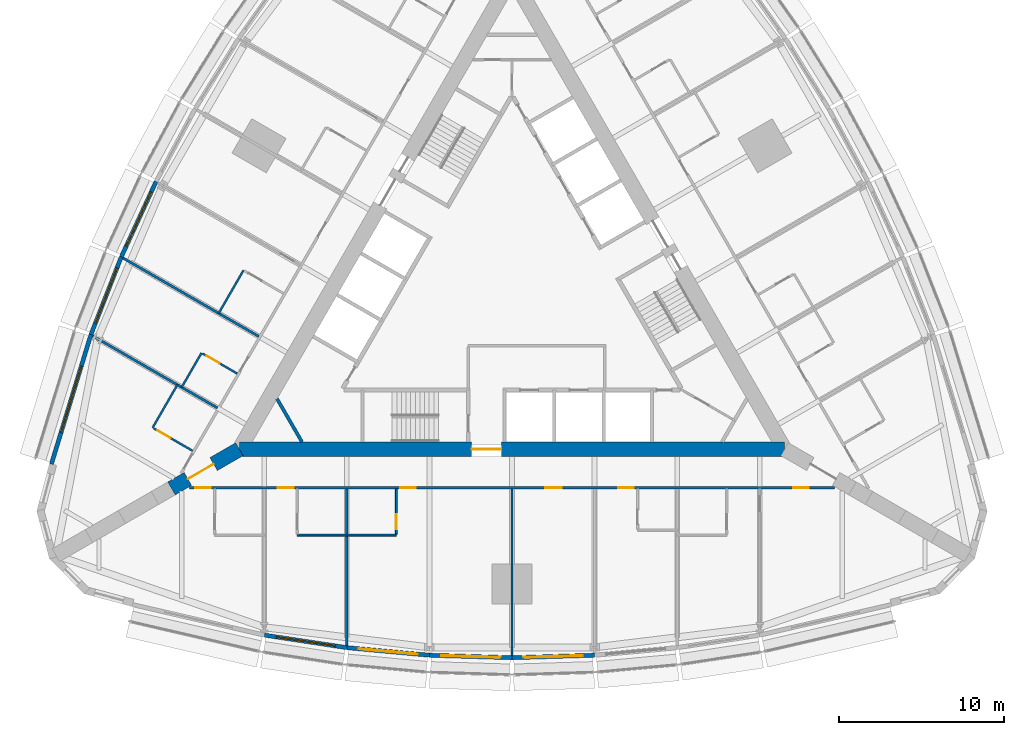
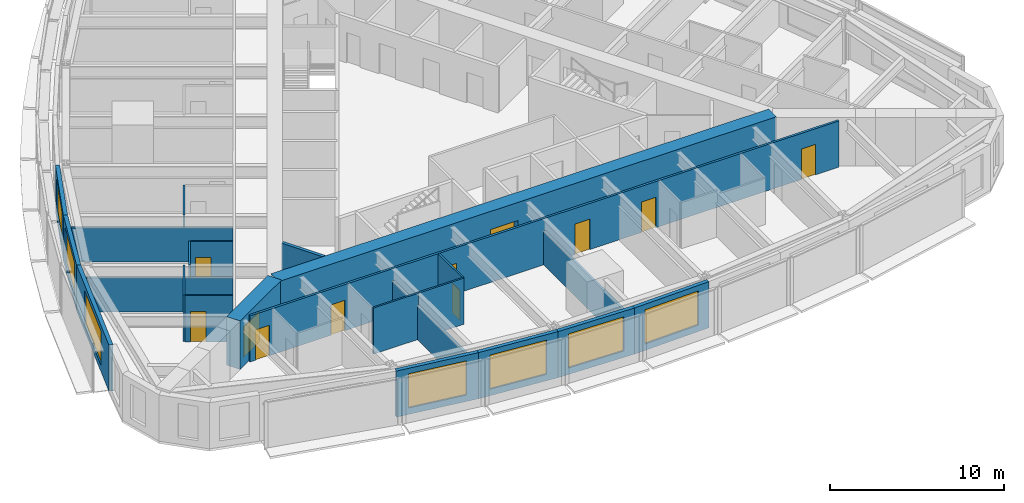
# One storey, part 8 of 14: 23 walls, 11 doors, 7 windows, 18 openings.
"""IFC4 building model written with IfcOpenShell, lengths in metres."""

from ifc_helpers import new_model, si_unit, direction, frame, frame_2d, origin, place, context, subcontext, project, spatial, rectangle, extrude, material, layer, layer_set, type_object, element, fill, save


model = new_model("IFC4")

# Units and contexts
model_context = context("Model", 3, precision=1e-05, world=origin(), true_north=direction((0.0, 1.0)))
body_context = subcontext(model_context, "Body", "Model", "MODEL_VIEW")
ifc_project = project(units=[si_unit("LENGTHUNIT", "METRE"), si_unit("AREAUNIT", "SQUARE_METRE"), si_unit("VOLUMEUNIT", "CUBIC_METRE"), si_unit("PLANEANGLEUNIT", "RADIAN"), si_unit("MASSUNIT", "GRAM", prefix="KILO")], contexts=[model_context])

# Site, building, storey
site_placement = place(None, origin())
site = spatial("IfcSite", under=ifc_project, at=site_placement, CompositionType="ELEMENT")
building_placement = place(site_placement, origin())
building = spatial("IfcBuilding", under=site, at=building_placement, Name="Trikona Tower", CompositionType="ELEMENT")
storey_placement = place(building_placement, frame((0.0, 0.0, 45.5)))
storey = spatial("IfcBuildingStorey", under=building, at=storey_placement, Name="L10", CompositionType="ELEMENT", Elevation=45.5)

# Walls
ifc_material_1 = material(Name="Metal stud and cement board", Category="gypsum")
ifc_layer_1 = layer(ifc_material_1, 0.1201171875)
ifc_layer_set_1 = layer_set([ifc_layer_1], Name="Bathroom wall 120")
wall_type_1 = type_object("IfcWallType", Name="Bathroom wall 120", PredefinedType="PLUMBINGWALL", material=ifc_layer_set_1)
for number, where, z_axis, x_axis, name in (
    (1, (-13.0, -14.726318359375, 0.0), (0.0, 0.0, 1.0), (1.0, 0.0, 0.0), "Bathroom wall 1002"),
    (2, (-10.0, -14.726318359375, 0.0), (0.0, 0.0, 1.0), (1.0, 0.0, 0.0), "Bathroom wall 1003"),
):
    element("IfcWall", number, at=place(storey_placement, frame(where, z_axis=z_axis, x_axis=x_axis)), inside=storey, type_object=wall_type_1, Name=name, PredefinedType="PLUMBINGWALL", context=body_context, shape_type="SweptSolid", body=[
        extrude(rectangle(XDim=3.0, YDim=0.1201171875, at=frame_2d((1.5, 0.0))), origin(), (0.0, 0.0, 1.0), 3.235107421875),
    ])

# Wall, opening, door
wall_1_placement = place(storey_placement, frame((-7.0, -11.92626953125, 0.0), z_axis=(0.0, 0.0, 1.0), x_axis=(0.0, -1.0, 0.0)))
wall_1 = element("IfcWall", 3, at=wall_1_placement, inside=storey, type_object=wall_type_1, Name="Bathroom wall 1003", PredefinedType="PLUMBINGWALL", context=body_context, shape_type="SweptSolid", body=[
    extrude(rectangle(XDim=2.739990234375, YDim=0.1201171875, at=frame_2d((1.3701171875, 0.0))), origin(), (0.0, 0.0, 1.0), 3.235107421875),
])
opening_1_placement = place(wall_1_placement, frame((1.550048828125, 0.0, 0.0)))
opening_1 = element("IfcOpeningElement", 4, at=opening_1_placement, cuts=wall_1, Name="Opening D2", PredefinedType="OPENING", context=body_context, shape_type="SweptSolid", body=[
    extrude(rectangle(XDim=0.89990234375, YDim=2.1298828125, at=frame_2d((0.449951171875, 1.06494140625))), frame((0.0, 0.070068359375, 0.0), z_axis=(0.0, -1.0, 0.0), x_axis=(1.0, 0.0, 0.0)), (0.0, 0.0, 1.0), 0.14013671875),
])
ifc_material_2 = material(Name="Steel door frame with solid-core timber leaf", Category="steel")
door_type_1 = type_object("IfcDoorType", Name="Bathroom door 900x2130", OperationType="SLIDING_TO_LEFT", PredefinedType="DOOR", material=ifc_material_2)
door_1_placement = place(opening_1_placement, origin())
door_1 = element("IfcDoor", 5, at=door_1_placement, inside=storey, type_object=door_type_1, Name="Bathroom door 1003", OperationType="SLIDING_TO_LEFT", OverallHeight=2.1298828125, OverallWidth=0.89990234375, PredefinedType="DOOR", context=body_context, shape_type="SweptSolid", body=[
    extrude(rectangle(XDim=0.89990234375, YDim=2.1298828125, at=frame_2d((0.449951171875, 1.06494140625))), frame((0.0, 0.02490234375, 0.0), z_axis=(0.0, -1.0, 0.0), x_axis=(1.0, 0.0, 0.0)), (0.0, 0.0, 1.0), 0.050048828125),
])
fill(opening_1, door_1)

# Walls
wall_2_placement = place(storey_placement, frame((-16.25341796875, 1.301025390625, 0.0), z_axis=(0.0, 0.0, 1.0), x_axis=(-0.499990139034, -0.866031096941, 0.0)))
element("IfcWall", 6, at=wall_2_placement, inside=storey, type_object=wall_type_1, Name="Bathroom wall 1016.1", PredefinedType="PLUMBINGWALL", context=body_context, shape_type="SweptSolid", body=[
    extrude(rectangle(XDim=3.0, YDim=0.1201171875, at=frame_2d((1.5, 0.0))), origin(), (0.0, 0.0, 1.0), 3.235107421875),
])
wall_3_placement = place(storey_placement, frame((-18.79345703125, -3.69873046875, 0.0), z_axis=(0.0, 0.0, 1.0), x_axis=(-0.500001309137, -0.866024647952, 0.0)))
element("IfcWall", 7, at=wall_3_placement, inside=storey, type_object=wall_type_1, Name="Bathroom wall 1017", PredefinedType="PLUMBINGWALL", context=body_context, shape_type="SweptSolid", body=[
    extrude(rectangle(XDim=2.39990234375, YDim=0.1201171875, at=frame_2d((1.199951171875, 0.0))), origin(), (0.0, 0.0, 1.0), 3.235107421875),
])

# Wall, opening, door
wall_4_placement = place(storey_placement, frame((-16.62841796875, -4.94873046875, 0.0), z_axis=(0.0, 0.0, 1.0), x_axis=(-0.866048967903, 0.499959183527, 0.0)))
wall_4 = element("IfcWall", 8, at=wall_4_placement, inside=storey, type_object=wall_type_1, Name="Bathroom wall 1017", PredefinedType="PLUMBINGWALL", context=body_context, shape_type="SweptSolid", body=[
    extrude(rectangle(XDim=2.440185546875, YDim=0.1201171875, at=frame_2d((1.22021484375, 0.0))), origin(), (0.0, 0.0, 1.0), 3.235107421875),
])
opening_2_placement = place(wall_4_placement, frame((1.25, 0.0, 0.0)))
opening_2 = element("IfcOpeningElement", 9, at=opening_2_placement, cuts=wall_4, Name="Opening D2", PredefinedType="OPENING", context=body_context, shape_type="SweptSolid", body=[
    extrude(rectangle(XDim=0.89990234375, YDim=2.1298828125, at=frame_2d((0.449951171875, 1.06494140625))), frame((0.0, 0.070068359375, 0.0), z_axis=(0.0, -1.0, 0.0), x_axis=(1.0, 0.0, 0.0)), (0.0, 0.0, 1.0), 0.14013671875),
])
door_2_placement = place(opening_2_placement, origin())
door_2 = element("IfcDoor", 10, at=door_2_placement, inside=storey, type_object=door_type_1, Name="Bathroom door 1017", OperationType="SLIDING_TO_LEFT", OverallHeight=2.1298828125, OverallWidth=0.89990234375, PredefinedType="DOOR", context=body_context, shape_type="SweptSolid", body=[
    extrude(rectangle(XDim=0.89990234375, YDim=2.1298828125, at=frame_2d((0.449951171875, 1.06494140625))), frame((0.0, 0.02490234375, 0.0), z_axis=(0.0, -1.0, 0.0), x_axis=(1.0, 0.0, 0.0)), (0.0, 0.0, 1.0), 0.050048828125),
])
fill(opening_2, door_2)

# Wall
wall_5_placement = place(storey_placement, frame((-20.25341796875, -5.627197265625, 0.0), z_axis=(0.0, 0.0, 1.0), x_axis=(-0.499990139034, -0.866031096941, 0.0)))
element("IfcWall", 11, at=wall_5_placement, inside=storey, type_object=wall_type_1, Name="Bathroom wall 1018", PredefinedType="PLUMBINGWALL", context=body_context, shape_type="SweptSolid", body=[
    extrude(rectangle(XDim=3.0, YDim=0.1201171875, at=frame_2d((1.5, 0.0))), origin(), (0.0, 0.0, 1.0), 3.235107421875),
])

# Wall, opening, door
wall_6_placement = place(storey_placement, frame((-19.32861328125, -9.625244140625, 0.0), z_axis=(0.0, 0.0, 1.0), x_axis=(-0.866035715982, 0.499982138324, 0.0)))
wall_6 = element("IfcWall", 12, at=wall_6_placement, inside=storey, type_object=wall_type_1, Name="Bathroom wall 1018", PredefinedType="PLUMBINGWALL", context=body_context, shape_type="SweptSolid", body=[
    extrude(rectangle(XDim=2.73974609375, YDim=0.1201171875, at=frame_2d((1.369873046875, 0.0))), origin(), (0.0, 0.0, 1.0), 3.235107421875),
])
opening_3_placement = place(wall_6_placement, frame((1.550048828125, 0.0, 0.0)))
opening_3 = element("IfcOpeningElement", 13, at=opening_3_placement, cuts=wall_6, Name="Opening D2", PredefinedType="OPENING", context=body_context, shape_type="SweptSolid", body=[
    extrude(rectangle(XDim=0.89990234375, YDim=2.1298828125, at=frame_2d((0.449951171875, 1.06494140625))), frame((0.0, 0.070068359375, 0.0), z_axis=(0.0, -1.0, 0.0), x_axis=(1.0, 0.0, 0.0)), (0.0, 0.0, 1.0), 0.14013671875),
])
door_3_placement = place(opening_3_placement, origin())
door_3 = element("IfcDoor", 14, at=door_3_placement, inside=storey, type_object=door_type_1, Name="Bathroom door 1018", OperationType="SLIDING_TO_LEFT", OverallHeight=2.1298828125, OverallWidth=0.89990234375, PredefinedType="DOOR", context=body_context, shape_type="SweptSolid", body=[
    extrude(rectangle(XDim=0.89990234375, YDim=2.1298828125, at=frame_2d((0.449951171875, 1.06494140625))), frame((0.0, 0.02490234375, 0.0), z_axis=(0.0, -1.0, 0.0), x_axis=(1.0, 0.0, 0.0)), (0.0, 0.0, 1.0), 0.050048828125),
])
fill(opening_3, door_3)

ifc_material_3 = material(Name="Concrete f'c 10000 psi", Category="concrete")
ifc_layer_2 = layer(ifc_material_3, 0.89990234375)
ifc_layer_set_2 = layer_set([ifc_layer_2], Name="Buttress wall 900")
wall_type_2 = type_object("IfcWallType", Name="Buttress wall 900", PredefinedType="SHEAR", material=ifc_layer_set_2)
wall_7_placement = place(storey_placement, frame((-16.5, -9.5263671875, 0.0), z_axis=(0.0, 0.0, 1.0), x_axis=(-0.866031398331, -0.499989616998, 0.0)))
wall_7 = element("IfcWall", 15, at=wall_7_placement, inside=storey, type_object=wall_type_2, Name="Buttress wall 3", PredefinedType="SHEAR", context=body_context, shape_type="SweptSolid", body=[
    extrude(rectangle(XDim=4.74609375, YDim=0.89990234375, at=frame_2d((2.373046875, 0.0))), origin(), (0.0, 0.0, 1.0), 3.39990234375),
])
opening_4_placement = place(wall_7_placement, frame((1.800048828125, 0.0, 0.0)))
opening_4 = element("IfcOpeningElement", 16, at=opening_4_placement, cuts=wall_7, Name="Opening D10", PredefinedType="OPENING", context=body_context, shape_type="SweptSolid", body=[
    extrude(rectangle(XDim=1.800048828125, YDim=2.1298828125, at=frame_2d((0.89990234375, 1.06494140625))), frame((0.0, 0.4599609375, 0.0), z_axis=(0.0, -1.0, 0.0), x_axis=(1.0, 0.0, 0.0)), (0.0, 0.0, 1.0), 0.919921875),
])
ifc_material_4 = material(Name="Hollow metal door and frame", Category="steel")
door_type_2 = type_object("IfcDoorType", Name="Cross-corridor door pair 1800x2130", OperationType="DOUBLE_DOOR_DOUBLE_SWING", PredefinedType="DOOR", material=ifc_material_4)
door_4_placement = place(opening_4_placement, origin())
door_4 = element("IfcDoor", 17, at=door_4_placement, inside=storey, type_object=door_type_2, Name="Cross-corridor door 3", OperationType="DOUBLE_DOOR_DOUBLE_SWING", OverallHeight=2.1298828125, OverallWidth=1.800048828125, PredefinedType="DOOR", context=body_context, shape_type="SweptSolid", body=[
    extrude(rectangle(XDim=1.800048828125, YDim=2.1298828125, at=frame_2d((0.89990234375, 1.06494140625))), frame((0.0, 0.02490234375, 0.0), z_axis=(0.0, -1.0, 0.0), x_axis=(1.0, 0.0, 0.0)), (0.0, 0.0, 1.0), 0.050048828125),
])
fill(opening_4, door_4)

ifc_material_5 = material(Name="Concrete f'c 10000 psi", Category="concrete")
ifc_layer_3 = layer(ifc_material_5, 0.89990234375)
ifc_layer_set_3 = layer_set([ifc_layer_3], Name="Core wall 900")
wall_type_3 = type_object("IfcWallType", Name="Core wall 900", PredefinedType="SHEAR", material=ifc_layer_set_3)
wall_8_placement = place(storey_placement, frame((-16.5, -9.5263671875, 0.0), z_axis=(0.0, 0.0, 1.0), x_axis=(1.0, 0.0, 0.0)))
wall_8 = element("IfcWall", 18, at=wall_8_placement, inside=storey, type_object=wall_type_3, Name="Core wall A", PredefinedType="SHEAR", context=body_context, shape_type="SweptSolid", body=[
    extrude(rectangle(XDim=33.0, YDim=0.89990234375, at=frame_2d((16.5, 0.0))), origin(), (0.0, 0.0, 1.0), 3.39990234375),
])
opening_5_placement = place(wall_8_placement, frame((14.050048828125, 0.0, 0.0)))
opening_5 = element("IfcOpeningElement", 19, at=opening_5_placement, cuts=wall_8, Name="Opening D6", PredefinedType="OPENING", context=body_context, shape_type="SweptSolid", body=[
    extrude(rectangle(XDim=1.800048828125, YDim=2.1298828125, at=frame_2d((0.89990234375, 1.06494140625))), frame((0.0, 0.4599609375, 0.0), z_axis=(0.0, -1.0, 0.0), x_axis=(1.0, 0.0, 0.0)), (0.0, 0.0, 1.0), 0.919921875),
])
ifc_material_6 = material(Name="Hollow metal door and frame", Category="steel")
door_type_3 = type_object("IfcDoorType", Name="Lobby door pair 1800x2130", OperationType="DOUBLE_DOOR_SINGLE_SWING", PredefinedType="DOOR", material=ifc_material_6)
door_5_placement = place(opening_5_placement, origin())
door_5 = element("IfcDoor", 20, at=door_5_placement, inside=storey, type_object=door_type_3, Name="Fire service lift lobby door", OperationType="DOUBLE_DOOR_SINGLE_SWING", OverallHeight=2.1298828125, OverallWidth=1.800048828125, PredefinedType="DOOR", context=body_context, shape_type="SweptSolid", body=[
    extrude(rectangle(XDim=1.800048828125, YDim=2.1298828125, at=frame_2d((0.89990234375, 1.06494140625))), frame((0.0, 0.02490234375, 0.0), z_axis=(0.0, -1.0, 0.0), x_axis=(1.0, 0.0, 0.0)), (0.0, 0.0, 1.0), 0.050048828125),
])
fill(opening_5, door_5)

# Wall, openings, doors
ifc_material_7 = material(Name="Metal stud and gypsum board, 1-hour", Category="gypsum")
ifc_layer_4 = layer(ifc_material_7, 0.14990234375)
ifc_layer_set_4 = layer_set([ifc_layer_4], Name="Corridor wall 150")
wall_type_4 = type_object("IfcWallType", Name="Corridor wall 150", PredefinedType="PARTITIONING", material=ifc_layer_set_4)
wall_9_placement = place(storey_placement, frame((-19.527099609375, -11.851318359375, 0.0), z_axis=(0.0, 0.0, 1.0), x_axis=(1.0, 0.0, 0.0)))
wall_9 = element("IfcWall", 21, at=wall_9_placement, inside=storey, type_object=wall_type_4, Name="Corridor wall L10-1", PredefinedType="PARTITIONING", context=body_context, shape_type="SweptSolid", body=[
    extrude(rectangle(XDim=39.05419921875, YDim=0.14990234375, at=frame_2d((19.527099609375, 0.0))), origin(), (0.0, 0.0, 1.0), 3.235107421875),
])
opening_6_placement = place(wall_9_placement, frame((0.35205078125, 0.0, 0.0)))
opening_6 = element("IfcOpeningElement", 22, at=opening_6_placement, cuts=wall_9, Name="Opening D1", PredefinedType="OPENING", context=body_context, shape_type="SweptSolid", body=[
    extrude(rectangle(XDim=0.949951171875, YDim=2.1298828125, at=frame_2d((0.47509765625, 1.06494140625))), frame((0.0, 0.0849609375, 0.0), z_axis=(0.0, -1.0, 0.0), x_axis=(1.0, 0.0, 0.0)), (0.0, 0.0, 1.0), 0.169921875),
])
opening_7_placement = place(wall_9_placement, frame((5.35205078125, 0.0, 0.0)))
opening_7 = element("IfcOpeningElement", 23, at=opening_7_placement, cuts=wall_9, Name="Opening D1", PredefinedType="OPENING", context=body_context, shape_type="SweptSolid", body=[
    extrude(rectangle(XDim=0.949951171875, YDim=2.1298828125, at=frame_2d((0.47509765625, 1.06494140625))), frame((0.0, 0.0849609375, 0.0), z_axis=(0.0, -1.0, 0.0), x_axis=(1.0, 0.0, 0.0)), (0.0, 0.0, 1.0), 0.169921875),
])
opening_8_placement = place(wall_9_placement, frame((12.751953125, 0.0, 0.0)))
opening_8 = element("IfcOpeningElement", 24, at=opening_8_placement, cuts=wall_9, Name="Opening D1", PredefinedType="OPENING", context=body_context, shape_type="SweptSolid", body=[
    extrude(rectangle(XDim=0.949951171875, YDim=2.1298828125, at=frame_2d((0.47509765625, 1.06494140625))), frame((0.0, 0.0849609375, 0.0), z_axis=(0.0, -1.0, 0.0), x_axis=(1.0, 0.0, 0.0)), (0.0, 0.0, 1.0), 0.169921875),
])
opening_9_placement = place(wall_9_placement, frame((21.527099609375, 0.0, 0.0)))
opening_9 = element("IfcOpeningElement", 25, at=opening_9_placement, cuts=wall_9, Name="Opening D3", PredefinedType="OPENING", context=body_context, shape_type="SweptSolid", body=[
    extrude(rectangle(XDim=1.0, YDim=2.1298828125, at=frame_2d((0.5, 1.06494140625))), frame((0.0, 0.0849609375, 0.0), z_axis=(0.0, -1.0, 0.0), x_axis=(1.0, 0.0, 0.0)), (0.0, 0.0, 1.0), 0.169921875),
])
opening_10_placement = place(wall_9_placement, frame((25.951904296875, 0.0, 0.0)))
opening_10 = element("IfcOpeningElement", 26, at=opening_10_placement, cuts=wall_9, Name="Opening D1", PredefinedType="OPENING", context=body_context, shape_type="SweptSolid", body=[
    extrude(rectangle(XDim=0.949951171875, YDim=2.1298828125, at=frame_2d((0.47509765625, 1.06494140625))), frame((0.0, 0.0849609375, 0.0), z_axis=(0.0, -1.0, 0.0), x_axis=(1.0, 0.0, 0.0)), (0.0, 0.0, 1.0), 0.169921875),
])
opening_11_placement = place(wall_9_placement, frame((36.545654296875, 0.0, 0.0)))
opening_11 = element("IfcOpeningElement", 27, at=opening_11_placement, cuts=wall_9, Name="Opening D1", PredefinedType="OPENING", context=body_context, shape_type="SweptSolid", body=[
    extrude(rectangle(XDim=0.949951171875, YDim=2.1298828125, at=frame_2d((0.47509765625, 1.06494140625))), frame((0.0, 0.0849609375, 0.0), z_axis=(0.0, -1.0, 0.0), x_axis=(1.0, 0.0, 0.0)), (0.0, 0.0, 1.0), 0.169921875),
])
ifc_material_8 = material(Name="Steel door frame with solid-core timber leaf", Category="steel")
door_type_4 = type_object("IfcDoorType", Name="Guest room door 950x2130", OperationType="SINGLE_SWING_LEFT", PredefinedType="DOOR", material=ifc_material_8)
door_6_placement = place(opening_6_placement, origin())
door_6 = element("IfcDoor", 28, at=door_6_placement, inside=storey, type_object=door_type_4, Name="Room door 1001", OperationType="SINGLE_SWING_LEFT", OverallHeight=2.1298828125, OverallWidth=0.949951171875, PredefinedType="DOOR", context=body_context, shape_type="SweptSolid", body=[
    extrude(rectangle(XDim=0.949951171875, YDim=2.1298828125, at=frame_2d((0.47509765625, 1.06494140625))), frame((0.0, 0.02490234375, 0.0), z_axis=(0.0, -1.0, 0.0), x_axis=(1.0, 0.0, 0.0)), (0.0, 0.0, 1.0), 0.050048828125),
])
fill(opening_6, door_6)
door_7_placement = place(opening_7_placement, origin())
door_7 = element("IfcDoor", 29, at=door_7_placement, inside=storey, type_object=door_type_4, Name="Room door 1002", OperationType="SINGLE_SWING_RIGHT", OverallHeight=2.1298828125, OverallWidth=0.949951171875, PredefinedType="DOOR", context=body_context, shape_type="SweptSolid", body=[
    extrude(rectangle(XDim=0.949951171875, YDim=2.1298828125, at=frame_2d((0.47509765625, 1.06494140625))), frame((0.0, 0.02490234375, 0.0), z_axis=(0.0, -1.0, 0.0), x_axis=(1.0, 0.0, 0.0)), (0.0, 0.0, 1.0), 0.050048828125),
])
fill(opening_7, door_7)
door_8_placement = place(opening_8_placement, origin())
door_8 = element("IfcDoor", 30, at=door_8_placement, inside=storey, type_object=door_type_4, Name="Room door 1003", OperationType="SINGLE_SWING_LEFT", OverallHeight=2.1298828125, OverallWidth=0.949951171875, PredefinedType="DOOR", context=body_context, shape_type="SweptSolid", body=[
    extrude(rectangle(XDim=0.949951171875, YDim=2.1298828125, at=frame_2d((0.47509765625, 1.06494140625))), frame((0.0, 0.02490234375, 0.0), z_axis=(0.0, -1.0, 0.0), x_axis=(1.0, 0.0, 0.0)), (0.0, 0.0, 1.0), 0.050048828125),
])
fill(opening_8, door_8)
door_9_placement = place(opening_10_placement, origin())
door_9 = element("IfcDoor", 31, at=door_9_placement, inside=storey, type_object=door_type_4, Name="Room door 1004", OperationType="SINGLE_SWING_LEFT", OverallHeight=2.1298828125, OverallWidth=0.949951171875, PredefinedType="DOOR", context=body_context, shape_type="SweptSolid", body=[
    extrude(rectangle(XDim=0.949951171875, YDim=2.1298828125, at=frame_2d((0.47509765625, 1.06494140625))), frame((0.0, 0.02490234375, 0.0), z_axis=(0.0, -1.0, 0.0), x_axis=(1.0, 0.0, 0.0)), (0.0, 0.0, 1.0), 0.050048828125),
])
fill(opening_10, door_9)
door_10_placement = place(opening_11_placement, origin())
door_10 = element("IfcDoor", 32, at=door_10_placement, inside=storey, type_object=door_type_4, Name="Room door 1005", OperationType="SINGLE_SWING_RIGHT", OverallHeight=2.1298828125, OverallWidth=0.949951171875, PredefinedType="DOOR", context=body_context, shape_type="SweptSolid", body=[
    extrude(rectangle(XDim=0.949951171875, YDim=2.1298828125, at=frame_2d((0.47509765625, 1.06494140625))), frame((0.0, 0.02490234375, 0.0), z_axis=(0.0, -1.0, 0.0), x_axis=(1.0, 0.0, 0.0)), (0.0, 0.0, 1.0), 0.050048828125),
])
fill(opening_11, door_10)
ifc_material_9 = material(Name="Steel door frame with solid-core timber leaf", Category="steel")
door_type_5 = type_object("IfcDoorType", Name="Room door 1000x2130", OperationType="SINGLE_SWING_LEFT", PredefinedType="DOOR", material=ifc_material_9)
door_11_placement = place(opening_9_placement, origin())
door_11 = element("IfcDoor", 33, at=door_11_placement, inside=storey, type_object=door_type_5, Name="Door Housekeeping pantry", OperationType="SINGLE_SWING_RIGHT", OverallHeight=2.1298828125, OverallWidth=1.0, PredefinedType="DOOR", context=body_context, shape_type="SweptSolid", body=[
    extrude(rectangle(XDim=1.0, YDim=2.1298828125, at=frame_2d((0.5, 1.06494140625))), frame((0.0, 0.02490234375, 0.0), z_axis=(0.0, -1.0, 0.0), x_axis=(1.0, 0.0, 0.0)), (0.0, 0.0, 1.0), 0.050048828125),
])
fill(opening_9, door_11)

# Wall, opening, window
ifc_material_10 = material(Name="Insulated precast concrete spandrel panel", Category="concrete")
ifc_layer_5 = layer(ifc_material_10, 0.25)
ifc_layer_set_5 = layer_set([ifc_layer_5], Name="Inner skin wall 250")
wall_type_5 = type_object("IfcWallType", Name="Inner skin wall 250", PredefinedType="STANDARD", material=ifc_layer_set_5)
wall_10_placement = place(storey_placement, frame((-14.981201171875, -20.779296875, 0.0), z_axis=(0.0, 0.0, 1.0), x_axis=(0.988615403399, -0.150464561152, 0.0)))
wall_10 = element("IfcWall", 34, at=wall_10_placement, inside=storey, type_object=wall_type_5, Name="External wall L10-01", PredefinedType="STANDARD", context=body_context, shape_type="SweptSolid", body=[
    extrude(rectangle(XDim=5.0576171875, YDim=0.25, at=frame_2d((2.52880859375, 0.0))), origin(), (0.0, 0.0, 1.0), 3.235107421875),
])
opening_12_placement = place(wall_10_placement, frame((0.728759765625, 0.0, 0.449951171875)))
opening_12 = element("IfcOpeningElement", 35, at=opening_12_placement, cuts=wall_10, Name="Opening W3624", PredefinedType="OPENING", context=body_context, shape_type="SweptSolid", body=[
    extrude(rectangle(XDim=3.60009765625, YDim=2.39990234375, at=frame_2d((1.800048828125, 1.199951171875))), frame((0.0, 0.135009765625, 0.0), z_axis=(0.0, -1.0, 0.0), x_axis=(1.0, 0.0, 0.0)), (0.0, 0.0, 1.0), 0.27001953125),
])
ifc_material_11 = material(Name="Aluminium-framed double glazing", Category="aluminium")
window_type_1 = type_object("IfcWindowType", Name="Window 3600x2400", PartitioningType="SINGLE_PANEL", PredefinedType="WINDOW", material=ifc_material_11)
window_1_placement = place(opening_12_placement, origin())
window_1 = element("IfcWindow", 36, at=window_1_placement, inside=storey, type_object=window_type_1, Name="Window 1002", OverallHeight=2.39990234375, OverallWidth=3.60009765625, PartitioningType="SINGLE_PANEL", PredefinedType="WINDOW", context=body_context, shape_type="SweptSolid", body=[
    extrude(rectangle(XDim=3.60009765625, YDim=2.39990234375, at=frame_2d((1.800048828125, 1.199951171875))), frame((0.0, 0.030029296875, 0.0), z_axis=(0.0, -1.0, 0.0), x_axis=(1.0, 0.0, 0.0)), (0.0, 0.0, 1.0), 0.06005859375),
])
fill(opening_12, window_1)

wall_11_placement = place(storey_placement, frame((-9.988525390625, -21.539306640625, 0.0), z_axis=(0.0, 0.0, 1.0), x_axis=(0.995857256774, -0.090930325692, 0.0)))
wall_11 = element("IfcWall", 37, at=wall_11_placement, inside=storey, type_object=wall_type_5, Name="External wall L10-02", PredefinedType="STANDARD", context=body_context, shape_type="SweptSolid", body=[
    extrude(rectangle(XDim=5.020751953125, YDim=0.25, at=frame_2d((2.51025390625, 0.0))), origin(), (0.0, 0.0, 1.0), 3.235107421875),
])
opening_13_placement = place(wall_11_placement, frame((0.71044921875, 0.0, 0.449951171875)))
opening_13 = element("IfcOpeningElement", 38, at=opening_13_placement, cuts=wall_11, Name="Opening W3624", PredefinedType="OPENING", context=body_context, shape_type="SweptSolid", body=[
    extrude(rectangle(XDim=3.60009765625, YDim=2.39990234375, at=frame_2d((1.800048828125, 1.199951171875))), frame((0.0, 0.135009765625, 0.0), z_axis=(0.0, -1.0, 0.0), x_axis=(1.0, 0.0, 0.0)), (0.0, 0.0, 1.0), 0.27001953125),
])
window_2_placement = place(opening_13_placement, origin())
window_2 = element("IfcWindow", 39, at=window_2_placement, inside=storey, type_object=window_type_1, Name="Window 1003", OverallHeight=2.39990234375, OverallWidth=3.60009765625, PartitioningType="SINGLE_PANEL", PredefinedType="WINDOW", context=body_context, shape_type="SweptSolid", body=[
    extrude(rectangle(XDim=3.60009765625, YDim=2.39990234375, at=frame_2d((1.800048828125, 1.199951171875))), frame((0.0, 0.030029296875, 0.0), z_axis=(0.0, -1.0, 0.0), x_axis=(1.0, 0.0, 0.0)), (0.0, 0.0, 1.0), 0.06005859375),
])
fill(opening_13, window_2)

wall_12_placement = place(storey_placement, frame((-4.99609375, -21.99560546875, 0.0), z_axis=(0.0, 0.0, 1.0), x_axis=(0.999537635046, -0.030405856769, 0.0)))
wall_12 = element("IfcWall", 40, at=wall_12_placement, inside=storey, type_object=wall_type_5, Name="External wall L10-03", PredefinedType="STANDARD", context=body_context, shape_type="SweptSolid", body=[
    extrude(rectangle(XDim=5.002197265625, YDim=0.25, at=frame_2d((2.5009765625, 0.0))), origin(), (0.0, 0.0, 1.0), 3.235107421875),
])
opening_14_placement = place(wall_12_placement, frame((0.701171875, 0.0, 0.449951171875)))
opening_14 = element("IfcOpeningElement", 41, at=opening_14_placement, cuts=wall_12, Name="Opening W3624", PredefinedType="OPENING", context=body_context, shape_type="SweptSolid", body=[
    extrude(rectangle(XDim=3.60009765625, YDim=2.39990234375, at=frame_2d((1.800048828125, 1.199951171875))), frame((0.0, 0.135009765625, 0.0), z_axis=(0.0, -1.0, 0.0), x_axis=(1.0, 0.0, 0.0)), (0.0, 0.0, 1.0), 0.27001953125),
])
window_3_placement = place(opening_14_placement, origin())
window_3 = element("IfcWindow", 42, at=window_3_placement, inside=storey, type_object=window_type_1, Name="Window 1003", OverallHeight=2.39990234375, OverallWidth=3.60009765625, PartitioningType="SINGLE_PANEL", PredefinedType="WINDOW", context=body_context, shape_type="SweptSolid", body=[
    extrude(rectangle(XDim=3.60009765625, YDim=2.39990234375, at=frame_2d((1.800048828125, 1.199951171875))), frame((0.0, 0.030029296875, 0.0), z_axis=(0.0, -1.0, 0.0), x_axis=(1.0, 0.0, 0.0)), (0.0, 0.0, 1.0), 0.06005859375),
])
fill(opening_14, window_3)

wall_13_placement = place(storey_placement, frame((-0.00390625, -22.147705078125, 0.0), z_axis=(0.0, 0.0, 1.0), x_axis=(0.999537635046, 0.030405856769, 0.0)))
wall_13 = element("IfcWall", 43, at=wall_13_placement, inside=storey, type_object=wall_type_5, Name="External wall L10-04", PredefinedType="STANDARD", context=body_context, shape_type="SweptSolid", body=[
    extrude(rectangle(XDim=5.002197265625, YDim=0.25, at=frame_2d((2.5009765625, 0.0))), origin(), (0.0, 0.0, 1.0), 3.235107421875),
])
opening_15_placement = place(wall_13_placement, frame((0.701171875, 0.0, 0.449951171875)))
opening_15 = element("IfcOpeningElement", 44, at=opening_15_placement, cuts=wall_13, Name="Opening W3624", PredefinedType="OPENING", context=body_context, shape_type="SweptSolid", body=[
    extrude(rectangle(XDim=3.60009765625, YDim=2.39990234375, at=frame_2d((1.800048828125, 1.199951171875))), frame((0.0, 0.135009765625, 0.0), z_axis=(0.0, -1.0, 0.0), x_axis=(1.0, 0.0, 0.0)), (0.0, 0.0, 1.0), 0.27001953125),
])
window_4_placement = place(opening_15_placement, origin())
window_4 = element("IfcWindow", 45, at=window_4_placement, inside=storey, type_object=window_type_1, Name="Window L10-HKP", OverallHeight=2.39990234375, OverallWidth=3.60009765625, PartitioningType="SINGLE_PANEL", PredefinedType="WINDOW", context=body_context, shape_type="SweptSolid", body=[
    extrude(rectangle(XDim=3.60009765625, YDim=2.39990234375, at=frame_2d((1.800048828125, 1.199951171875))), frame((0.0, 0.030029296875, 0.0), z_axis=(0.0, -1.0, 0.0), x_axis=(1.0, 0.0, 0.0)), (0.0, 0.0, 1.0), 0.06005859375),
])
fill(opening_15, window_4)

wall_14_placement = place(storey_placement, frame((-21.543212890625, 6.677734375, 0.0), z_axis=(0.0, 0.0, 1.0), x_axis=(-0.419203100754, -0.907892482796, 0.0)))
wall_14 = element("IfcWall", 46, at=wall_14_placement, inside=storey, type_object=wall_type_5, Name="External wall L10-29", PredefinedType="STANDARD", context=body_context, shape_type="SweptSolid", body=[
    extrude(rectangle(XDim=5.020751953125, YDim=0.25, at=frame_2d((2.51025390625, 0.0))), origin(), (0.0, 0.0, 1.0), 3.235107421875),
])
opening_16_placement = place(wall_14_placement, frame((0.71044921875, 0.0, 0.449951171875)))
opening_16 = element("IfcOpeningElement", 47, at=opening_16_placement, cuts=wall_14, Name="Opening W3624", PredefinedType="OPENING", context=body_context, shape_type="SweptSolid", body=[
    extrude(rectangle(XDim=3.60009765625, YDim=2.39990234375, at=frame_2d((1.800048828125, 1.199951171875))), frame((0.0, 0.135009765625, 0.0), z_axis=(0.0, -1.0, 0.0), x_axis=(1.0, 0.0, 0.0)), (0.0, 0.0, 1.0), 0.27001953125),
])
window_5_placement = place(opening_16_placement, origin())
window_5 = element("IfcWindow", 48, at=window_5_placement, inside=storey, type_object=window_type_1, Name="Window 1016.1", OverallHeight=2.39990234375, OverallWidth=3.60009765625, PartitioningType="SINGLE_PANEL", PredefinedType="WINDOW", context=body_context, shape_type="SweptSolid", body=[
    extrude(rectangle(XDim=3.60009765625, YDim=2.39990234375, at=frame_2d((1.800048828125, 1.199951171875))), frame((0.0, 0.030029296875, 0.0), z_axis=(0.0, -1.0, 0.0), x_axis=(1.0, 0.0, 0.0)), (0.0, 0.0, 1.0), 0.06005859375),
])
fill(opening_16, window_5)

wall_15_placement = place(storey_placement, frame((-23.64501953125, 2.126220703125, 0.0), z_axis=(0.0, 0.0, 1.0), x_axis=(-0.364013463868, -0.931393685894, 0.0)))
wall_15 = element("IfcWall", 49, at=wall_15_placement, inside=storey, type_object=wall_type_5, Name="External wall L10-30", PredefinedType="STANDARD", context=body_context, shape_type="SweptSolid", body=[
    extrude(rectangle(XDim=5.0576171875, YDim=0.25, at=frame_2d((2.52880859375, 0.0))), origin(), (0.0, 0.0, 1.0), 3.235107421875),
])
opening_17_placement = place(wall_15_placement, frame((0.728759765625, 0.0, 0.449951171875)))
opening_17 = element("IfcOpeningElement", 50, at=opening_17_placement, cuts=wall_15, Name="Opening W3624", PredefinedType="OPENING", context=body_context, shape_type="SweptSolid", body=[
    extrude(rectangle(XDim=3.60009765625, YDim=2.39990234375, at=frame_2d((1.800048828125, 1.199951171875))), frame((0.0, 0.135009765625, 0.0), z_axis=(0.0, -1.0, 0.0), x_axis=(1.0, 0.0, 0.0)), (0.0, 0.0, 1.0), 0.27001953125),
])
window_6_placement = place(opening_17_placement, origin())
window_6 = element("IfcWindow", 51, at=window_6_placement, inside=storey, type_object=window_type_1, Name="Window 1017", OverallHeight=2.39990234375, OverallWidth=3.60009765625, PartitioningType="SINGLE_PANEL", PredefinedType="WINDOW", context=body_context, shape_type="SweptSolid", body=[
    extrude(rectangle(XDim=3.60009765625, YDim=2.39990234375, at=frame_2d((1.800048828125, 1.199951171875))), frame((0.0, 0.030029296875, 0.0), z_axis=(0.0, -1.0, 0.0), x_axis=(1.0, 0.0, 0.0)), (0.0, 0.0, 1.0), 0.06005859375),
])
fill(opening_17, window_6)

wall_16_placement = place(storey_placement, frame((-25.48291015625, -2.575439453125, 0.0), z_axis=(0.0, 0.0, 1.0), x_axis=(-0.2919790669, -0.956424709265, 0.0)))
wall_16 = element("IfcWall", 52, at=wall_16_placement, inside=storey, type_object=wall_type_5, Name="External wall L10-31", PredefinedType="STANDARD", context=body_context, shape_type="SweptSolid", body=[
    extrude(rectangle(XDim=8.211181640625, YDim=0.25, at=frame_2d((4.10546875, 0.0))), origin(), (0.0, 0.0, 1.0), 3.235107421875),
])
opening_18_placement = place(wall_16_placement, frame((2.005615234375, 0.0, 0.449951171875)))
opening_18 = element("IfcOpeningElement", 53, at=opening_18_placement, cuts=wall_16, Name="Opening W4224", PredefinedType="OPENING", context=body_context, shape_type="SweptSolid", body=[
    extrude(rectangle(XDim=4.199951171875, YDim=2.39990234375, at=frame_2d((2.10009765625, 1.199951171875))), frame((0.0, 0.135009765625, 0.0), z_axis=(0.0, -1.0, 0.0), x_axis=(1.0, 0.0, 0.0)), (0.0, 0.0, 1.0), 0.27001953125),
])
ifc_material_12 = material(Name="Aluminium-framed double glazing", Category="aluminium")
window_type_2 = type_object("IfcWindowType", Name="Window 4200x2400", PartitioningType="SINGLE_PANEL", PredefinedType="WINDOW", material=ifc_material_12)
window_7_placement = place(opening_18_placement, origin())
window_7 = element("IfcWindow", 54, at=window_7_placement, inside=storey, type_object=window_type_2, Name="Window 1018", OverallHeight=2.39990234375, OverallWidth=4.199951171875, PartitioningType="SINGLE_PANEL", PredefinedType="WINDOW", context=body_context, shape_type="SweptSolid", body=[
    extrude(rectangle(XDim=4.199951171875, YDim=2.39990234375, at=frame_2d((2.10009765625, 1.199951171875))), frame((0.0, 0.030029296875, 0.0), z_axis=(0.0, -1.0, 0.0), x_axis=(1.0, 0.0, 0.0)), (0.0, 0.0, 1.0), 0.06005859375),
])
fill(opening_18, window_7)

# Walls
ifc_material_13 = material(Name="Metal stud and gypsum board, 1-hour acoustic", Category="gypsum")
ifc_layer_6 = layer(ifc_material_13, 0.14990234375)
ifc_layer_set_6 = layer_set([ifc_layer_6], Name="Party wall 150")
wall_type_6 = type_object("IfcWallType", Name="Party wall 150", PredefinedType="PARTITIONING", material=ifc_layer_set_6)
wall_17_placement = place(storey_placement, frame((-10.0, -11.92626953125, 0.0), z_axis=(0.0, 0.0, 1.0), x_axis=(0.0, -1.0, 0.0)))
element("IfcWall", 55, at=wall_17_placement, inside=storey, type_object=wall_type_6, Name="Partition L10 F1 u-10", PredefinedType="PARTITIONING", context=body_context, shape_type="SweptSolid", body=[
    extrude(rectangle(XDim=9.484619140625, YDim=0.14990234375, at=frame_2d((4.7421875, 0.0))), origin(), (0.0, 0.0, 1.0), 2.38916015625),
])
wall_18_placement = place(storey_placement, frame((0.0, -11.92626953125, 0.0), z_axis=(0.0, 0.0, 1.0), x_axis=(0.0, -1.0, 0.0)))
element("IfcWall", 56, at=wall_18_placement, inside=storey, type_object=wall_type_6, Name="Partition L10 F1 u-1.03538e-30", PredefinedType="PARTITIONING", context=body_context, shape_type="SweptSolid", body=[
    extrude(rectangle(XDim=10.09619140625, YDim=0.14990234375, at=frame_2d((5.048095703125, 0.0))), origin(), (0.0, 0.0, 1.0), 2.38916015625),
])
wall_19_placement = place(storey_placement, frame((-15.32861328125, -2.697021484375, 0.0), z_axis=(0.0, 0.0, 1.0), x_axis=(-0.866018409083, 0.500012114982, 0.0)))
element("IfcWall", 57, at=wall_19_placement, inside=storey, type_object=wall_type_6, Name="Partition L10 F3 u10", PredefinedType="PARTITIONING", context=body_context, shape_type="SweptSolid", body=[
    extrude(rectangle(XDim=9.484619140625, YDim=0.14990234375, at=frame_2d((4.7421875, 0.0))), origin(), (0.0, 0.0, 1.0), 2.38916015625),
])
wall_20_placement = place(storey_placement, frame((-17.82861328125, -7.027099609375, 0.0), z_axis=(0.0, 0.0, 1.0), x_axis=(-0.866032659912, 0.499987431809, 0.0)))
element("IfcWall", 58, at=wall_20_placement, inside=storey, type_object=wall_type_6, Name="Partition L10 F3 u15", PredefinedType="PARTITIONING", context=body_context, shape_type="SweptSolid", body=[
    extrude(rectangle(XDim=8.719970703125, YDim=0.14990234375, at=frame_2d((4.35986328125, 0.0))), origin(), (0.0, 0.0, 1.0), 2.38916015625),
])
ifc_material_14 = material(Name="Concrete f'c 8000 psi", Category="concrete")
ifc_layer_7 = layer(ifc_material_14, 0.199951171875)
ifc_layer_set_7 = layer_set([ifc_layer_7], Name="Shaft wall 200")
wall_type_7 = type_object("IfcWallType", Name="Shaft wall 200", PredefinedType="SOLIDWALL", material=ifc_layer_set_7)
wall_21_placement = place(storey_placement, frame((-12.718505859375, -9.076416015625, 0.0), z_axis=(0.0, 0.0, 1.0), x_axis=(-0.499952404951, 0.866052881055, 0.0)))
element("IfcWall", 59, at=wall_21_placement, inside=storey, type_object=wall_type_7, Name="Riser wall L10-RS3", PredefinedType="SOLIDWALL", context=body_context, shape_type="SweptSolid", body=[
    extrude(rectangle(XDim=3.002197265625, YDim=0.199951171875, at=frame_2d((1.5009765625, 0.0))), origin(), (0.0, 0.0, 1.0), 3.235107421875),
])

save(model, "model.ifc")
